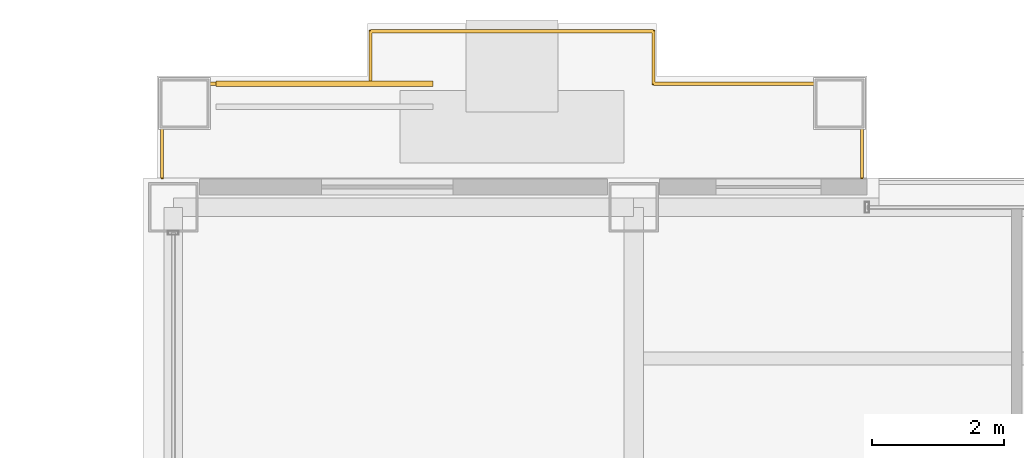
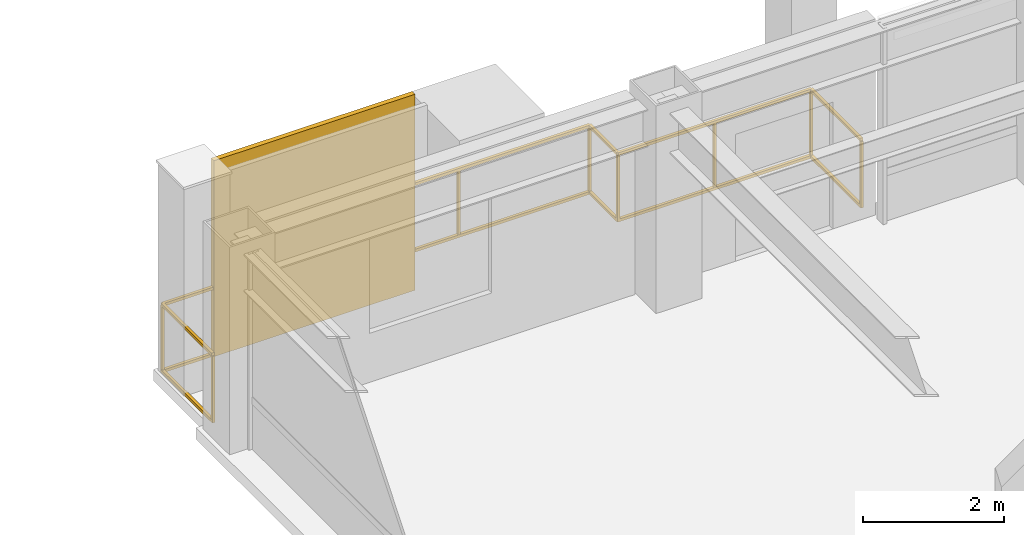
# One storey, part 31 of 32: 1 railing, 1 shading device.
"""IFC4 building model written with IfcOpenShell, lengths in metres."""

from ifc_helpers import new_model, si_unit, direction, frame, origin, origin_2d, place, context, subcontext, project, spatial, rectangle, extrude, material, layer, layer_set, type_object, element, save


model = new_model("IFC4")

# Units and contexts
model_context = context("Model", 3, precision=1e-05, world=origin(), true_north=direction((0.0, 1.0)))
body_context = subcontext(model_context, "Body", "Model", "MODEL_VIEW")
ifc_project = project(units=[si_unit("LENGTHUNIT", "METRE"), si_unit("AREAUNIT", "SQUARE_METRE"), si_unit("VOLUMEUNIT", "CUBIC_METRE"), si_unit("PLANEANGLEUNIT", "RADIAN"), si_unit("MASSUNIT", "GRAM", prefix="KILO")], contexts=[model_context])

# Site, building, storey
site_placement = place(None, origin())
site = spatial("IfcSite", under=ifc_project, at=site_placement, CompositionType="ELEMENT")
building_placement = place(site_placement, origin())
building = spatial("IfcBuilding", under=site, at=building_placement, Name="Brelmoor Portico Tower", CompositionType="ELEMENT")
storey_placement = place(building_placement, frame((0.0, 0.0, 162.300048828125)))
storey = spatial("IfcBuildingStorey", under=building, at=storey_placement, Name="L42", CompositionType="ELEMENT", Elevation=162.300048828125)

# Railing
ifc_material_1 = material(Name="Perforated Pale Champagne Aluminium Fretwork Guard", Category="aluminium")
railing_type = type_object("IfcRailingType", Name="RL-BALUSTRADE-1200", PredefinedType="BALUSTRADE", material=ifc_material_1)
railing_placement = place(storey_placement, frame((-15.219970703125, 19.0, 0.0)))
element("IfcRailing", 1, at=railing_placement, inside=storey, type_object=railing_type, Name="L42 Tree Balcony Fretwork Balustrade N", PredefinedType="BALUSTRADE", context=body_context, shape_type="SweptSolid", body=[
    extrude(rectangle(XDim=0.048095703125, YDim=0.048095703125, at=origin_2d()), frame((0.0, 0.0, 1.17578125), z_axis=(0.0, 1.0, 0.0), x_axis=(-1.0, 0.0, 0.0)), (0.0, 0.0, 1.0), 1.429931640625),
    extrude(rectangle(XDim=0.048095703125, YDim=0.048095703125, at=origin_2d()), frame((0.0, 0.0, 0.02392578125), z_axis=(0.0, 1.0, 0.0), x_axis=(-1.0, 0.0, 0.0)), (0.0, 0.0, 1.0), 1.429931640625),
    extrude(rectangle(XDim=0.048095703125, YDim=0.048095703125, at=origin_2d()), frame((0.0, 1.429931640625, 1.17578125), z_axis=(1.0, 0.0, 0.0), x_axis=(0.0, 1.0, 0.0)), (0.0, 0.0, 1.0), 3.169921875),
    extrude(rectangle(XDim=0.048095703125, YDim=0.048095703125, at=origin_2d()), frame((0.0, 1.429931640625, 0.02392578125), z_axis=(1.0, 0.0, 0.0), x_axis=(0.0, 1.0, 0.0)), (0.0, 0.0, 1.0), 3.169921875),
    extrude(rectangle(XDim=0.048095703125, YDim=0.048095703125, at=origin_2d()), frame((3.169921875, 1.429931640625, 1.17578125), z_axis=(0.0, 1.0, 0.0), x_axis=(-1.0, 0.0, 0.0)), (0.0, 0.0, 1.0), 0.800048828125),
    extrude(rectangle(XDim=0.048095703125, YDim=0.048095703125, at=origin_2d()), frame((3.169921875, 1.429931640625, 0.02392578125), z_axis=(0.0, 1.0, 0.0), x_axis=(-1.0, 0.0, 0.0)), (0.0, 0.0, 1.0), 0.800048828125),
    extrude(rectangle(XDim=0.048095703125, YDim=0.048095703125, at=origin_2d()), frame((3.169921875, 2.22998046875, 1.17578125), z_axis=(1.0, 0.0, 0.0), x_axis=(0.0, 1.0, 0.0)), (0.0, 0.0, 1.0), 4.300048828125),
    extrude(rectangle(XDim=0.048095703125, YDim=0.048095703125, at=origin_2d()), frame((3.169921875, 2.22998046875, 0.02392578125), z_axis=(1.0, 0.0, 0.0), x_axis=(0.0, 1.0, 0.0)), (0.0, 0.0, 1.0), 4.300048828125),
    extrude(rectangle(XDim=0.048095703125, YDim=0.048095703125, at=origin_2d()), frame((7.469970703125, 2.22998046875, 1.17578125), z_axis=(0.0, -1.0, 0.0), x_axis=(1.0, 0.0, 0.0)), (0.0, 0.0, 1.0), 0.800048828125),
    extrude(rectangle(XDim=0.048095703125, YDim=0.048095703125, at=origin_2d()), frame((7.469970703125, 2.22998046875, 0.02392578125), z_axis=(0.0, -1.0, 0.0), x_axis=(1.0, 0.0, 0.0)), (0.0, 0.0, 1.0), 0.800048828125),
    extrude(rectangle(XDim=0.048095703125, YDim=0.048095703125, at=origin_2d()), frame((7.469970703125, 1.429931640625, 1.17578125), z_axis=(1.0, 0.0, 0.0), x_axis=(0.0, 1.0, 0.0)), (0.0, 0.0, 1.0), 3.169921875),
    extrude(rectangle(XDim=0.048095703125, YDim=0.048095703125, at=origin_2d()), frame((7.469970703125, 1.429931640625, 0.02392578125), z_axis=(1.0, 0.0, 0.0), x_axis=(0.0, 1.0, 0.0)), (0.0, 0.0, 1.0), 3.169921875),
    extrude(rectangle(XDim=0.048095703125, YDim=0.048095703125, at=origin_2d()), frame((10.639892578125, 1.429931640625, 1.17578125), z_axis=(0.0, -1.0, 0.0), x_axis=(1.0, 0.0, 0.0)), (0.0, 0.0, 1.0), 1.429931640625),
    extrude(rectangle(XDim=0.048095703125, YDim=0.048095703125, at=origin_2d()), frame((10.639892578125, 1.429931640625, 0.02392578125), z_axis=(0.0, -1.0, 0.0), x_axis=(1.0, 0.0, 0.0)), (0.0, 0.0, 1.0), 1.429931640625),
    extrude(rectangle(XDim=0.0419921875, YDim=0.0419921875, at=origin_2d()), origin(), (0.0, 0.0, 1.0), 1.15185546875),
    extrude(rectangle(XDim=0.0419921875, YDim=0.0419921875, at=origin_2d()), frame((0.0, 1.429931640625, 0.0)), (0.0, 0.0, 1.0), 1.15185546875),
    extrude(rectangle(XDim=0.0419921875, YDim=0.0419921875, at=origin_2d()), frame((1.5849609375, 1.429931640625, 0.0)), (0.0, 0.0, 1.0), 1.15185546875),
    extrude(rectangle(XDim=0.0419921875, YDim=0.0419921875, at=origin_2d()), frame((3.169921875, 1.429931640625, 0.0)), (0.0, 0.0, 1.0), 1.15185546875),
    extrude(rectangle(XDim=0.0419921875, YDim=0.0419921875, at=origin_2d()), frame((3.169921875, 2.22998046875, 0.0)), (0.0, 0.0, 1.0), 1.15185546875),
    extrude(rectangle(XDim=0.0419921875, YDim=0.0419921875, at=origin_2d()), frame((5.31982421875, 2.22998046875, 0.0)), (0.0, 0.0, 1.0), 1.15185546875),
    extrude(rectangle(XDim=0.0419921875, YDim=0.0419921875, at=origin_2d()), frame((7.469970703125, 2.22998046875, 0.0)), (0.0, 0.0, 1.0), 1.15185546875),
    extrude(rectangle(XDim=0.0419921875, YDim=0.0419921875, at=origin_2d()), frame((7.469970703125, 1.429931640625, 0.0)), (0.0, 0.0, 1.0), 1.15185546875),
    extrude(rectangle(XDim=0.0419921875, YDim=0.0419921875, at=origin_2d()), frame((9.054931640625, 1.429931640625, 0.0)), (0.0, 0.0, 1.0), 1.15185546875),
    extrude(rectangle(XDim=0.0419921875, YDim=0.0419921875, at=origin_2d()), frame((10.639892578125, 1.429931640625, 0.0)), (0.0, 0.0, 1.0), 1.15185546875),
    extrude(rectangle(XDim=0.0419921875, YDim=0.0419921875, at=origin_2d()), frame((10.639892578125, 0.0, 0.0)), (0.0, 0.0, 1.0), 1.15185546875),
])

# Shading device
ifc_material_2 = material(Name="Powder-Coated Aluminium Shuttered Jalousie", Category="aluminium")
ifc_layer = layer(ifc_material_2, 0.080078125)
ifc_layer_set = layer_set([ifc_layer], Name="Powder-Coated Aluminium Shuttered Jalousie")
shading_device_type = type_object("IfcShadingDeviceType", Name="SD-JALOUSIE-LOGGIA", PredefinedType="JALOUSIE", material=ifc_layer_set)
shading_device_placement = place(storey_placement, frame((-12.75, 20.429931640625, 0.0), z_axis=(0.0, 0.0, 1.0), x_axis=(1.0, 0.0, 0.0)))
element("IfcShadingDevice", 2, at=shading_device_placement, inside=storey, type_object=shading_device_type, Name="L42 Loggia Shuttered Jalousie N", PredefinedType="JALOUSIE", context=body_context, shape_type="SweptSolid", body=[
    extrude(rectangle(XDim=3.300048828125, YDim=0.080078125, at=origin_2d()), origin(), (0.0, 0.0, 1.0), 3.39990234375),
])

save(model, "model.ifc")
